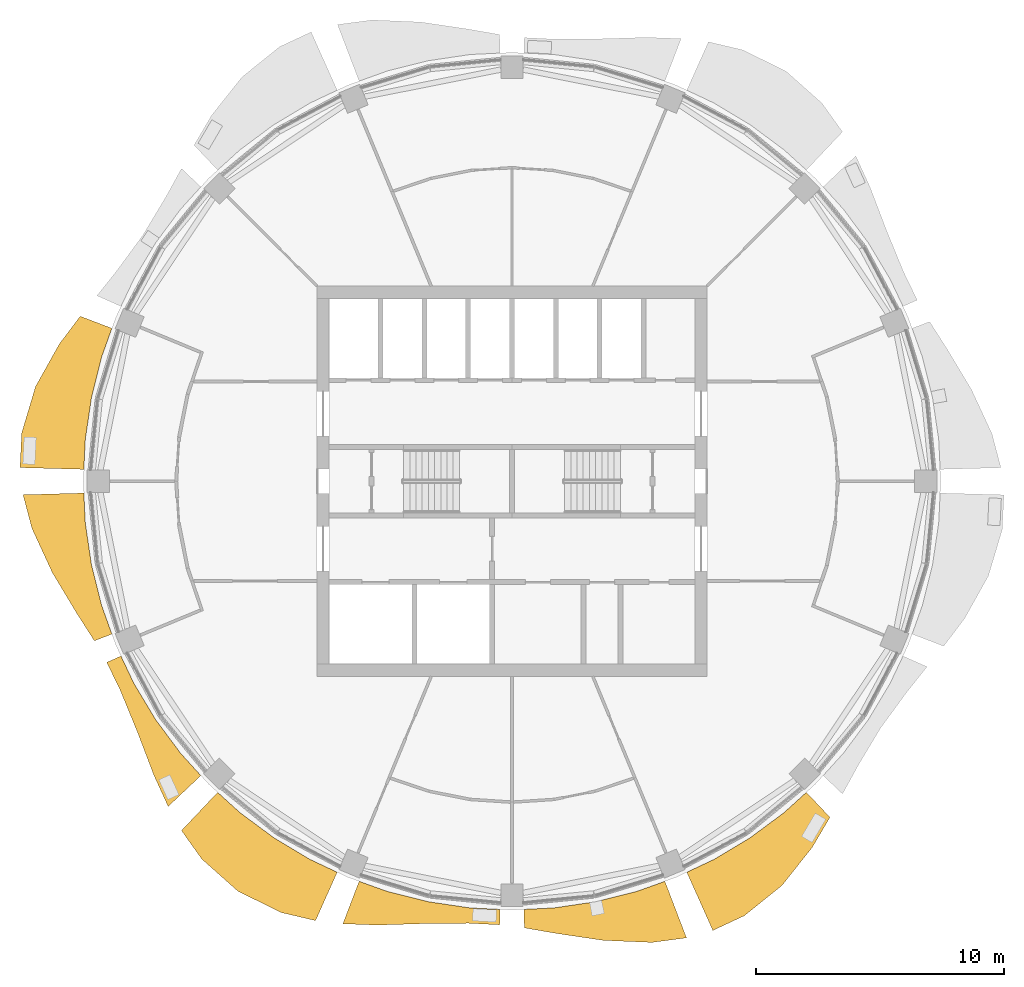
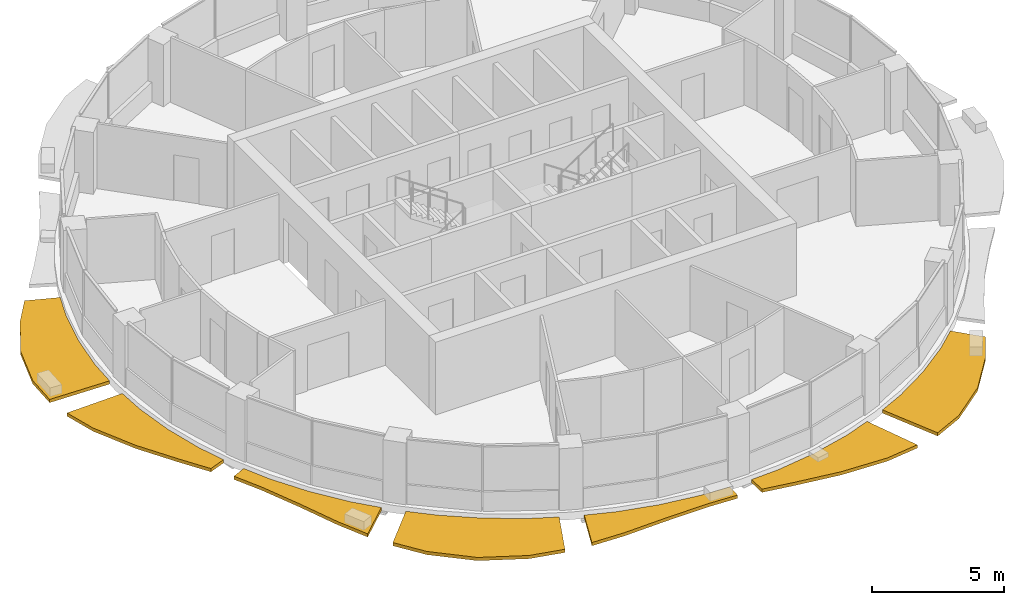
# One storey, part 12 of 15: 7 shading devices.
"""IFC4 building model written with IfcOpenShell, lengths in metres."""

from ifc_helpers import new_model, si_unit, direction, frame, origin, place, context, subcontext, project, spatial, polyline, outline, extrude, material, type_object, element, save


model = new_model("IFC4")

# Units and contexts
model_context = context("Model", 3, precision=1e-05, world=origin(), true_north=direction((0.0, 1.0)))
body_context = subcontext(model_context, "Body", "Model", "MODEL_VIEW")
ifc_project = project(units=[si_unit("LENGTHUNIT", "METRE"), si_unit("AREAUNIT", "SQUARE_METRE"), si_unit("VOLUMEUNIT", "CUBIC_METRE"), si_unit("PLANEANGLEUNIT", "RADIAN"), si_unit("MASSUNIT", "GRAM", prefix="KILO")], contexts=[model_context])

# Site, building, storey
site_placement = place(None, origin())
site = spatial("IfcSite", under=ifc_project, at=site_placement, CompositionType="ELEMENT")
building_placement = place(site_placement, origin())
building = spatial("IfcBuilding", under=site, at=building_placement, Name="Polderwave Tower", CompositionType="ELEMENT")
storey_placement = place(building_placement, frame((0.0, 0.0, 201.050048828125)))
storey = spatial("IfcBuildingStorey", under=building, at=storey_placement, Name="L54", CompositionType="ELEMENT", Elevation=201.050048828125)

# Shading devices
ifc_material = material(Name="Terracotta", Category="masonry")
shading_device_type = type_object("IfcShadingDeviceType", Name="Terracotta sunshade band", PredefinedType="USERDEFINED", material=ifc_material)
shading_device_1_placement = place(storey_placement, frame((0.0, 0.0, -0.35009765625)))
element("IfcShadingDevice", 1, at=shading_device_1_placement, inside=storey, type_object=shading_device_type, Name="Sunshade band L54 8", ObjectType="SUNSHADE", PredefinedType="USERDEFINED", context=body_context, shape_type="SweptSolid", body=[
    extrude(outline(polyline([(-16.14453125, 6.16943359375), (-16.55517578125, 5.02197265625), (-16.967529296875, 3.375), (-17.216796875, 1.69580078125), (-17.276611328125, 0.478515625), (-19.85205078125, 0.5498046875), (-19.783203125, 1.948486328125), (-19.2236328125, 3.82373046875), (-18.263916015625, 5.540283203125), (-17.42041015625, 6.656982421875), (-16.14453125, 6.16943359375)])), origin(), (0.0, 0.0, 1.0), 0.150146484375),
])
shading_device_2_placement = place(storey_placement, frame((0.0, 0.0, -0.35009765625)))
element("IfcShadingDevice", 2, at=shading_device_2_placement, inside=storey, type_object=shading_device_type, Name="Sunshade band L54 9", ObjectType="SUNSHADE", PredefinedType="USERDEFINED", context=body_context, shape_type="SweptSolid", body=[
    extrude(outline(polyline([(-17.276611328125, -0.478515625), (-17.216796875, -1.69580078125), (-16.967529296875, -3.375), (-16.55517578125, -5.02197265625), (-16.14453125, -6.16943359375), (-16.851806640625, -6.439697265625), (-17.562255859375, -5.327392578125), (-18.54638671875, -3.689208984375), (-19.369873046875, -1.90771484375), (-19.728515625, -0.54638671875), (-17.276611328125, -0.478515625)])), origin(), (0.0, 0.0, 1.0), 0.150146484375),
])
shading_device_3_placement = place(storey_placement, frame((0.0, 0.0, -0.35009765625)))
element("IfcShadingDevice", 3, at=shading_device_3_placement, inside=storey, type_object=shading_device_type, Name="Sunshade band L54 10", ObjectType="SUNSHADE", PredefinedType="USERDEFINED", context=body_context, shape_type="SweptSolid", body=[
    extrude(outline(polyline([(-15.7783203125, -7.053466796875), (-15.257080078125, -8.1552734375), (-14.384521484375, -9.611328125), (-13.373046875, -10.97509765625), (-12.5546875, -11.8779296875), (-13.873291015625, -13.12548828125), (-14.451904296875, -11.860107421875), (-15.12109375, -10.103515625), (-15.8017578125, -8.4462890625), (-16.351318359375, -7.3095703125), (-15.7783203125, -7.053466796875)])), origin(), (0.0, 0.0, 1.0), 0.150146484375),
])
shading_device_4_placement = place(storey_placement, frame((0.0, 0.0, -0.35009765625)))
element("IfcShadingDevice", 4, at=shading_device_4_placement, inside=storey, type_object=shading_device_type, Name="Sunshade band L54 11", ObjectType="SUNSHADE", PredefinedType="USERDEFINED", context=body_context, shape_type="SweptSolid", body=[
    extrude(outline(polyline([(-11.8779296875, -12.5546875), (-10.97509765625, -13.373046875), (-9.611328125, -14.384521484375), (-8.1552734375, -15.257080078125), (-7.053466796875, -15.7783203125), (-7.926025390625, -17.73046875), (-9.303955078125, -17.40625), (-11.055908203125, -16.546142578125), (-12.51416015625, -15.248291015625), (-13.33642578125, -14.095947265625), (-11.8779296875, -12.5546875)])), origin(), (0.0, 0.0, 1.0), 0.150146484375),
])
shading_device_5_placement = place(storey_placement, frame((0.0, 0.0, -0.35009765625)))
element("IfcShadingDevice", 5, at=shading_device_5_placement, inside=storey, type_object=shading_device_type, Name="Sunshade band L54 12", ObjectType="SUNSHADE", PredefinedType="USERDEFINED", context=body_context, shape_type="SweptSolid", body=[
    extrude(outline(polyline([(-6.16943359375, -16.14453125), (-5.02197265625, -16.55517578125), (-3.375, -16.967529296875), (-1.69580078125, -17.216796875), (-0.478515625, -17.276611328125), (-0.49560546875, -17.899658203125), (-1.756591796875, -17.8349609375), (-3.550537109375, -17.85009765625), (-5.4326171875, -17.90869140625), (-6.82421875, -17.857666015625), (-6.16943359375, -16.14453125)])), origin(), (0.0, 0.0, 1.0), 0.150146484375),
])
shading_device_6_placement = place(storey_placement, frame((0.0, 0.0, -0.35009765625)))
element("IfcShadingDevice", 6, at=shading_device_6_placement, inside=storey, type_object=shading_device_type, Name="Sunshade band L54 13", ObjectType="SUNSHADE", PredefinedType="USERDEFINED", context=body_context, shape_type="SweptSolid", body=[
    extrude(outline(polyline([(0.478515625, -17.276611328125), (1.69580078125, -17.216796875), (3.375, -16.967529296875), (5.02197265625, -16.55517578125), (6.16943359375, -16.14453125), (7.04150390625, -18.42626953125), (5.645263671875, -18.610107421875), (3.685302734375, -18.52734375), (1.79736328125, -18.248046875), (0.4990234375, -18.023193359375), (0.478515625, -17.276611328125)])), origin(), (0.0, 0.0, 1.0), 0.150146484375),
])
shading_device_7_placement = place(storey_placement, frame((0.0, 0.0, -0.35009765625)))
element("IfcShadingDevice", 7, at=shading_device_7_placement, inside=storey, type_object=shading_device_type, Name="Sunshade band L54 14", ObjectType="SUNSHADE", PredefinedType="USERDEFINED", context=body_context, shape_type="SweptSolid", body=[
    extrude(outline(polyline([(7.053466796875, -15.7783203125), (8.1552734375, -15.257080078125), (9.611328125, -14.384521484375), (10.97509765625, -13.373046875), (11.8779296875, -12.5546875), (12.82958984375, -13.560546875), (12.119873046875, -14.76806640625), (10.89697265625, -16.308349609375), (9.37255859375, -17.534912109375), (8.103271484375, -18.126708984375), (7.053466796875, -15.7783203125)])), origin(), (0.0, 0.0, 1.0), 0.150146484375),
])

save(model, "model.ifc")
